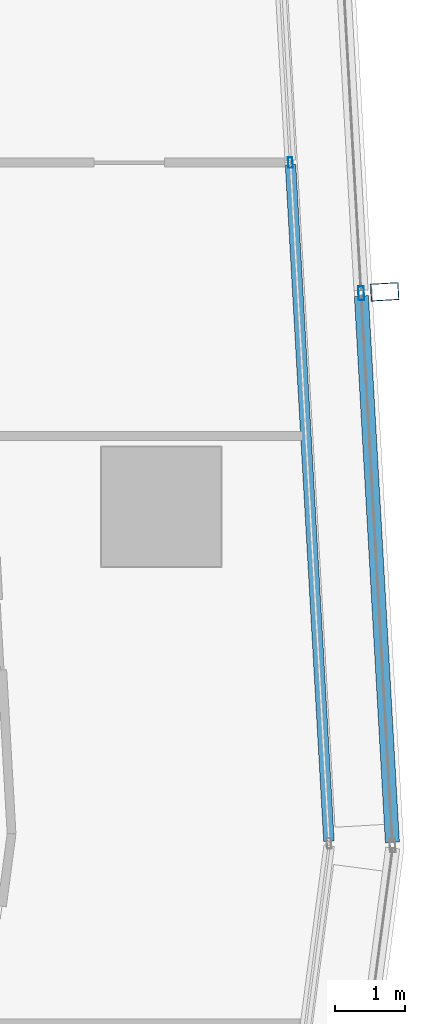
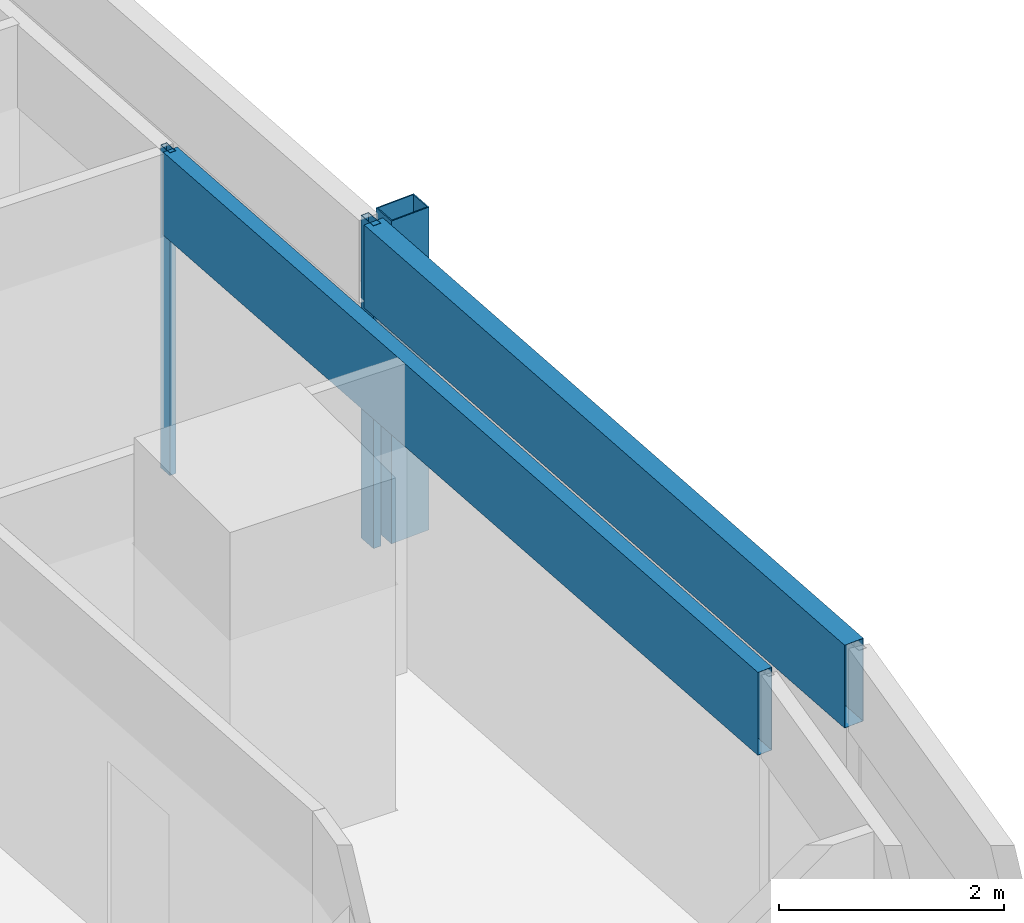
# One storey, part 14 of 39: 5 members, 2 elements without a shape of their own.
"""IFC4 building model written with IfcOpenShell, lengths in metres."""

import ifcopenshell
import ifcopenshell.guid

model = None  # the IFC model being written
_history = None  # IfcOwnerHistory: only IFC2X3 demands one
_inside = {}  # id of a spatial element -> (the spatial element, [elements in it])
_under = {}  # id of a project, library or spatial element -> (it, [spatial elements below it])
_declared = {}  # id of a project -> (the project, [libraries it declares])
_typed = {}  # id of a type object -> (the type object, [elements of that type])
_made_of = {}  # id of a material, layer set ... -> (it, [elements and type objects made of it])


def new_model(schema):
    """Start an empty IFC model of exactly this schema.

    Asked for "IFC4X3", IfcOpenShell would pick the latest addendum, in which some entities
    have other attributes; the version numbers below select the first issue.
    IFC2X3 requires an IfcOwnerHistory on every rooted entity: one is made here for all.
    """
    global model, _history
    if schema == "IFC4X3":
        model = ifcopenshell.file(schema_version=(4, 3, 0, 0))
    else:
        model = ifcopenshell.file(schema=schema)
    _inside.clear()
    _under.clear()
    _declared.clear()
    _typed.clear()
    _made_of.clear()
    _history = None
    if model.schema == "IFC2X3":
        org = make("IfcOrganization", Name="unknown")
        user = make(
            "IfcPersonAndOrganization",
            ThePerson=make("IfcPerson", FamilyName="unknown"),
            TheOrganization=org,
        )
        app = make(
            "IfcApplication",
            ApplicationDeveloper=org,
            Version="unknown",
            ApplicationFullName="unknown",
            ApplicationIdentifier="unknown",
        )
        _history = make(
            "IfcOwnerHistory",
            OwningUser=user,
            OwningApplication=app,
            ChangeAction="ADDED",
            CreationDate=0,
        )
    return model


def make(cls, **values):
    """One entity of the class cls with the attributes given. An attribute that is None is left unset."""
    return model.create_entity(
        cls, **{name: value for name, value in values.items() if value is not None}
    )


def rooted(cls, **values):
    """An entity with a GlobalId (a new one), such as an element, a storey or a relation."""
    return make(cls, GlobalId=ifcopenshell.guid.new(), OwnerHistory=_history, **values)


def si_unit(unit_type, name, prefix=None):
    """IfcSIUnit, for example si_unit("LENGTHUNIT", "METRE", prefix="MILLI")."""
    return make("IfcSIUnit", UnitType=unit_type, Prefix=prefix, Name=name)


def assignment(units):
    """IfcUnitAssignment: the units of a project."""
    return None if units is None else make("IfcUnitAssignment", Units=units)


def point(xyz):
    """IfcCartesianPoint."""
    return None if xyz is None else make("IfcCartesianPoint", Coordinates=xyz)


def direction(xyz):
    """IfcDirection."""
    return None if xyz is None else make("IfcDirection", DirectionRatios=xyz)


def frame(location, z_axis=None, x_axis=None):
    """IfcAxis2Placement3D, a coordinate frame: its origin and axes. An axis left out is left unset."""
    return make(
        "IfcAxis2Placement3D",
        Location=point(location),
        Axis=direction(z_axis),
        RefDirection=direction(x_axis),
    )


def frame_2d(location, x_axis=None):
    """IfcAxis2Placement2D, a coordinate frame in the plane: its origin and x axis."""
    return make(
        "IfcAxis2Placement2D", Location=point(location), RefDirection=direction(x_axis)
    )


def origin():
    """The frame at (0, 0, 0) with its axes left unset."""
    return frame((0.0, 0.0, 0.0))


def origin_2d():
    """The frame at (0, 0) in the plane with its x axis left unset."""
    return frame_2d((0.0, 0.0))


def place(relative_to, where):
    """IfcLocalPlacement: puts the frame where relative to a parent placement (None: the world)."""
    return make(
        "IfcLocalPlacement", PlacementRelTo=relative_to, RelativePlacement=where
    )


def context(
    kind, dimensions, precision=None, world=None, true_north=None, identifier=None
):
    """IfcGeometricRepresentationContext, for example the 3D "Model" context."""
    return make(
        "IfcGeometricRepresentationContext",
        ContextIdentifier=identifier,
        ContextType=kind,
        CoordinateSpaceDimension=dimensions,
        Precision=precision,
        WorldCoordinateSystem=world,
        TrueNorth=true_north,
    )


def subcontext(parent, identifier, kind, view, scale=None):
    """IfcGeometricRepresentationSubContext, for example "Body" below "Model"."""
    return make(
        "IfcGeometricRepresentationSubContext",
        ContextIdentifier=identifier,
        ContextType=kind,
        ParentContext=parent,
        TargetScale=scale,
        TargetView=view,
    )


def project(units=None, contexts=None):
    """IfcProject with its units and contexts."""
    return rooted(
        "IfcProject",
        Name="project",
        RepresentationContexts=contexts,
        UnitsInContext=assignment(units),
    )


def spatial(cls, under=None, at=None, **own):
    """A site, building, storey or space (cls), placed at a placement, below another one or the project."""
    s = rooted(cls, ObjectPlacement=at, **own)
    if under is not None:
        _under.setdefault(under.id(), (under, []))[1].append(s)
    return s


def profile(cls, at=None, kind="AREA", **sizes):
    """A parametric profile (cls). Its sizes go by their IFC names, for example OverallWidth=200.0."""
    return make(cls, ProfileType=kind, Position=at, **sizes)


def hollow_rectangle(**sizes):
    """IfcRectangleHollowProfileDef."""
    return profile("IfcRectangleHollowProfileDef", **sizes)


def extrude(swept, where, along, depth):
    """IfcExtrudedAreaSolid: the profile swept, set in the frame where, extruded along a direction by depth."""
    return make(
        "IfcExtrudedAreaSolid",
        SweptArea=swept,
        Position=where,
        ExtrudedDirection=direction(along),
        Depth=depth,
    )


def shape(context_of_items, identifier, shape_type, items):
    """IfcShapeRepresentation: the items that make up one representation, for example the "Body"."""
    return make(
        "IfcShapeRepresentation",
        ContextOfItems=context_of_items,
        RepresentationIdentifier=identifier,
        RepresentationType=shape_type,
        Items=items,
    )


def material(Name=None, Category=None):
    """IfcMaterial."""
    return make("IfcMaterial", Name=Name, Category=Category)


def material_profile(
    of_material, cross_section, Name=None, Category=None, Priority=None
):
    """IfcMaterialProfile: a cross section and its material."""
    return make(
        "IfcMaterialProfile",
        Name=Name,
        Material=of_material,
        Profile=cross_section,
        Priority=Priority,
        Category=Category,
    )


def profile_set(profiles, Name=None, composite=None):
    """IfcMaterialProfileSet."""
    return make(
        "IfcMaterialProfileSet",
        Name=Name,
        MaterialProfiles=profiles,
        CompositeProfile=composite,
    )


def made_of(thing, what):
    """Note that an element or type object is made of a material, layer set ...; save() writes the relation."""
    if what is not None:
        _made_of.setdefault(what.id(), (what, []))[1].append(thing)
    return thing


def type_object(cls, material=None, **own):
    """A type object (cls), such as IfcWallType, which elements share."""
    return made_of(rooted(cls, **own), material)


def element(
    cls,
    number,
    at=None,
    inside=None,
    cuts=None,
    type_object=None,
    material=None,
    context=None,
    identifier="Body",
    shape_type=None,
    held_by="IfcProductDefinitionShape",
    body=None,
    shapes=None,
    **own,
):
    """One element of the class cls, such as IfcWall. Its Tag is "e" and its number.

    at: its placement. inside: the storey or other place that contains it. cuts: it is an
    opening in that element (IfcRelVoidsElement). A single representation is given by context,
    identifier, shape_type and body (its items); several are given by shapes. held_by: the class
    of the entity that holds the representations. save() writes the other relations.
    """
    e = rooted(cls, Tag="e%d" % number, ObjectPlacement=at, **own)
    if body is not None:
        shapes = [shape(context, identifier, shape_type, body)]
    if shapes is not None:
        e.Representation = make(held_by, Representations=shapes)
    if inside is not None:
        _inside.setdefault(inside.id(), (inside, []))[1].append(e)
    if cuts is not None:
        rooted(
            "IfcRelVoidsElement", RelatingBuildingElement=cuts, RelatedOpeningElement=e
        )
    if type_object is not None:
        _typed.setdefault(type_object.id(), (type_object, []))[1].append(e)
    return made_of(e, material)


def aggregate(whole, parts):
    """IfcRelAggregates: a whole, such as a stair, and the parts it consists of."""
    return rooted("IfcRelAggregates", RelatingObject=whole, RelatedObjects=parts)


def save(model, path):
    """Write the relations noted so far, then the file.

    IfcRelAggregates (storeys below a building ...), IfcRelContainedInSpatialStructure (elements
    in a storey), IfcRelDefinesByType, IfcRelAssociatesMaterial and IfcRelDeclares: one each for
    every whole, place, type object, material and project.
    """
    for whole, parts in _under.values():
        aggregate(whole, parts)
    for where, things in _inside.values():
        rooted(
            "IfcRelContainedInSpatialStructure",
            RelatedElements=things,
            RelatingStructure=where,
        )
    for kind, things in _typed.values():
        rooted("IfcRelDefinesByType", RelatedObjects=things, RelatingType=kind)
    for what, things in _made_of.values():
        rooted("IfcRelAssociatesMaterial", RelatedObjects=things, RelatingMaterial=what)
    for by, libraries in _declared.values():
        rooted("IfcRelDeclares", RelatingContext=by, RelatedDefinitions=libraries)
    model.write(path)


model = new_model("IFC4")

# Units and contexts
model_context = context("Model", 3, precision=1e-05, world=origin(), true_north=direction((0.0, 1.0)))
body_context = subcontext(model_context, "Body", "Model", "MODEL_VIEW")
ifc_project = project(units=[si_unit("LENGTHUNIT", "METRE"), si_unit("AREAUNIT", "SQUARE_METRE"), si_unit("VOLUMEUNIT", "CUBIC_METRE"), si_unit("PLANEANGLEUNIT", "RADIAN"), si_unit("MASSUNIT", "GRAM", prefix="KILO")], contexts=[model_context])

# Site, building, storey
site_placement = place(None, origin())
site = spatial("IfcSite", under=ifc_project, at=site_placement, CompositionType="ELEMENT")
building_placement = place(site_placement, origin())
building = spatial("IfcBuilding", under=site, at=building_placement, Name="Rekha Terrace Tower", CompositionType="ELEMENT")
storey_placement = place(building_placement, frame((0.0, 0.0, 180.199951171875)))
storey = spatial("IfcBuildingStorey", under=building, at=storey_placement, Name="L45", CompositionType="ELEMENT", Elevation=180.199951171875)

# Curtain wall, member
ifc_material_1 = material(Name="Aluminium framing", Category="aluminium")
curtain_wall_type_1 = type_object("IfcCurtainWallType", Name="CW2 double skin outer glazing", PredefinedType="USERDEFINED", material=ifc_material_1)
curtain_wall_1_placement = place(storey_placement, origin())
curtain_wall_1 = element("IfcCurtainWall", 1, at=curtain_wall_1_placement, inside=storey, type_object=curtain_wall_type_1, Name="CW2 double skin outer glazing", ObjectType="DOUBLE SKIN OUTER GLAZING", PredefinedType="USERDEFINED")
ifc_material_2 = material(Name="Steel S355 with fluorocarbon finish", Category="steel")
ifc_material_profile_1 = material_profile(ifc_material_2, hollow_rectangle(XDim=0.25, YDim=0.39990234375, WallThickness=0.012451171875, at=origin_2d()), Name="RHS400x250x12.5")
ifc_profile_set_1 = profile_set([ifc_material_profile_1], Name="Steel S355 with fluorocarbon finish")
member_type_1 = type_object("IfcMemberType", Name="BL1 facade blade RHS 400 x 250", PredefinedType="USERDEFINED", material=ifc_profile_set_1)
member_1_placement = place(storey_placement, frame((61.975830078125, 36.65576171875, 0.0), z_axis=(0.0, 0.0, 1.0), x_axis=(-0.056673619809, 0.998392758797, 0.0)))
member_1 = element("IfcMember", 2, at=member_1_placement, type_object=member_type_1, Name="Facade blade", ObjectType="FACADE BLADE", PredefinedType="USERDEFINED", context=body_context, shape_type="SweptSolid", body=[
    extrude(hollow_rectangle(XDim=0.25, YDim=0.39990234375, WallThickness=0.012451171875, at=origin_2d()), origin(), (0.0, 0.0, 1.0), 3.5),
])

# Curtain wall, members
curtain_wall_type_2 = type_object("IfcCurtainWallType", Name="CW1 double skin inner glazing", PredefinedType="USERDEFINED", material=ifc_material_1)
curtain_wall_2_placement = place(storey_placement, origin())
curtain_wall_2 = element("IfcCurtainWall", 3, at=curtain_wall_2_placement, inside=storey, type_object=curtain_wall_type_2, Name="CW1 double skin inner glazing", ObjectType="DOUBLE SKIN INNER GLAZING", PredefinedType="USERDEFINED")
ifc_material_3 = material(Name="Aluminium mullion section", Category="aluminium")
ifc_material_profile_2 = material_profile(ifc_material_3, hollow_rectangle(XDim=0.06494140625, YDim=0.14990234375, WallThickness=0.00390625, at=origin_2d()), Name="AL RHS 65x150")
ifc_profile_set_2 = profile_set([ifc_material_profile_2], Name="Aluminium mullion section")
member_type_2 = type_object("IfcMemberType", Name="CW1 mullion RHS 65 x 150", PredefinedType="MULLION", material=ifc_profile_set_2)
member_2_placement = place(storey_placement, frame((60.634521484375, 38.494873046875, 0.0), z_axis=(0.0, 0.0, 1.0), x_axis=(-0.998392782918, -0.056673194877, 0.0)))
member_2 = element("IfcMember", 4, at=member_2_placement, type_object=member_type_2, Name="CW1 mullion 2", PredefinedType="MULLION", context=body_context, shape_type="SweptSolid", body=[
    extrude(hollow_rectangle(XDim=0.06494140625, YDim=0.14990234375, WallThickness=0.00390625, at=origin_2d()), origin(), (0.0, 0.0, 1.0), 3.5),
])
ifc_material_4 = material(Name="Insulated aluminium spandrel box", Category="aluminium")
ifc_material_profile_3 = material_profile(ifc_material_4, hollow_rectangle(XDim=0.14990234375, YDim=0.89990234375, WallThickness=0.0029296875, at=origin_2d()), Name="AL SPANDREL BOX 150x900")
ifc_profile_set_3 = profile_set([ifc_material_profile_3], Name="Insulated aluminium spandrel box")
member_type_3 = type_object("IfcMemberType", Name="CW1 spandrel transom 150 x 900", PredefinedType="USERDEFINED", material=ifc_profile_set_3)
member_3_placement = place(storey_placement, frame((61.182373046875, 28.8447265625, 3.050048828125), z_axis=(-0.056668701652, 0.998393037963, 0.0), x_axis=(-0.998393037963, -0.056668701652, 0.0)))
member_3 = element("IfcMember", 5, at=member_3_placement, type_object=member_type_3, Name="CW1 spandrel transom 1", ObjectType="TRANSOM", PredefinedType="USERDEFINED", context=body_context, shape_type="SweptSolid", body=[
    extrude(hollow_rectangle(XDim=0.14990234375, YDim=0.89990234375, WallThickness=0.0029296875, at=origin_2d()), origin(), (0.0, 0.0, 1.0), 9.633056640625),
])
aggregate(curtain_wall_2, [member_2, member_3])

# Member
ifc_material_profile_4 = material_profile(ifc_material_3, hollow_rectangle(XDim=0.080078125, YDim=0.199951171875, WallThickness=0.00390625, at=origin_2d()), Name="AL RHS 80x200")
ifc_profile_set_4 = profile_set([ifc_material_profile_4], Name="Aluminium mullion section")
member_type_4 = type_object("IfcMemberType", Name="CW2 mullion RHS 80 x 200", PredefinedType="MULLION", material=ifc_profile_set_4)
member_4_placement = place(storey_placement, frame((61.6416015625, 36.63671875, 0.0), z_axis=(0.0, 0.0, 1.0), x_axis=(-0.998392782919, -0.05667319486, 0.0)))
member_4 = element("IfcMember", 6, at=member_4_placement, type_object=member_type_4, Name="CW2 mullion 2", PredefinedType="MULLION", context=body_context, shape_type="SweptSolid", body=[
    extrude(hollow_rectangle(XDim=0.080078125, YDim=0.199951171875, WallThickness=0.00390625, at=origin_2d()), origin(), (0.0, 0.0, 1.0), 3.5),
])

ifc_material_profile_5 = material_profile(ifc_material_4, hollow_rectangle(XDim=0.199951171875, YDim=0.89990234375, WallThickness=0.0029296875, at=origin_2d()), Name="AL SPANDREL BOX 200x900")
ifc_profile_set_5 = profile_set([ifc_material_profile_5], Name="Insulated aluminium spandrel box")
member_type_5 = type_object("IfcMemberType", Name="CW2 spandrel transom 200 x 900", PredefinedType="USERDEFINED", material=ifc_profile_set_5)
member_5_placement = place(storey_placement, frame((62.0849609375, 28.825927734375, 3.050048828125), z_axis=(-0.05667908121, 0.998392448766, 0.0), x_axis=(-0.998392448766, -0.05667908121, 0.0)))
member_5 = element("IfcMember", 7, at=member_5_placement, type_object=member_type_5, Name="CW2 spandrel transom 1", ObjectType="TRANSOM", PredefinedType="USERDEFINED", context=body_context, shape_type="SweptSolid", body=[
    extrude(hollow_rectangle(XDim=0.199951171875, YDim=0.89990234375, WallThickness=0.0029296875, at=origin_2d()), origin(), (0.0, 0.0, 1.0), 7.783447265625),
])

aggregate(curtain_wall_1, [member_4, member_5, member_1])

save(model, "model.ifc")
